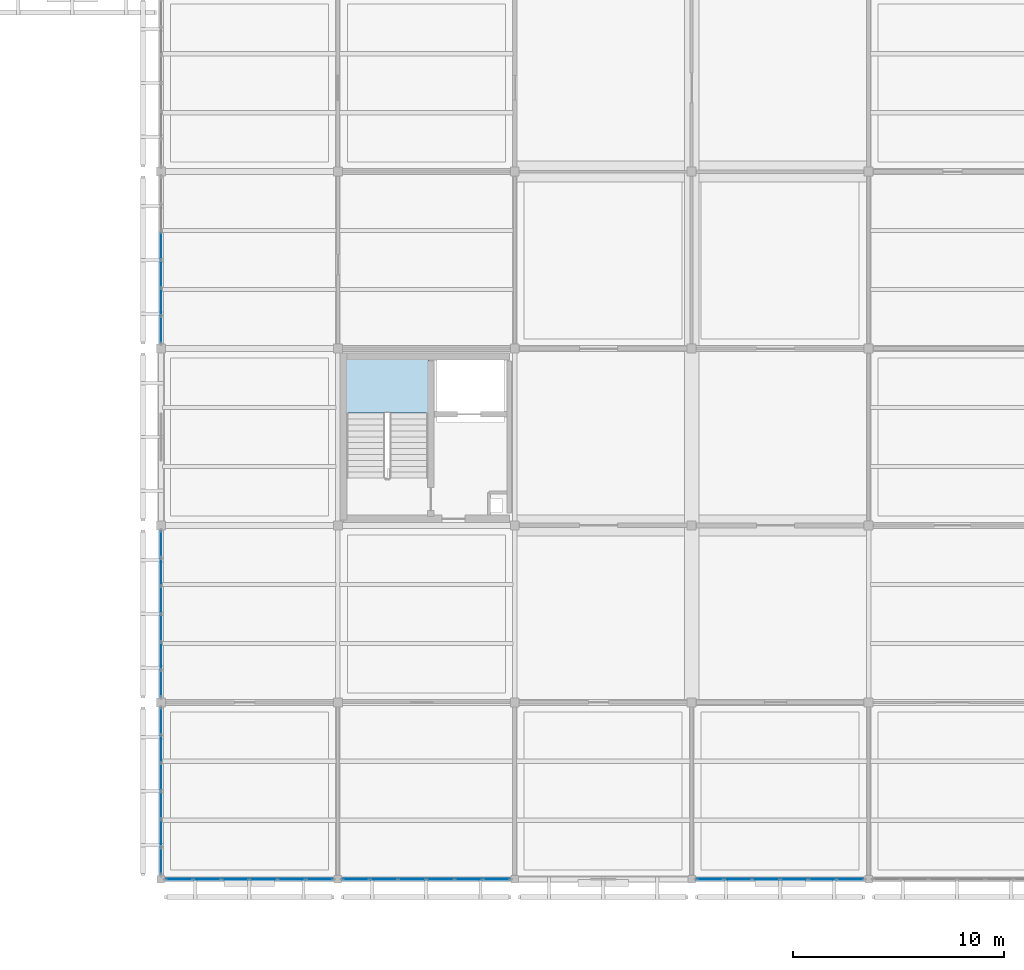
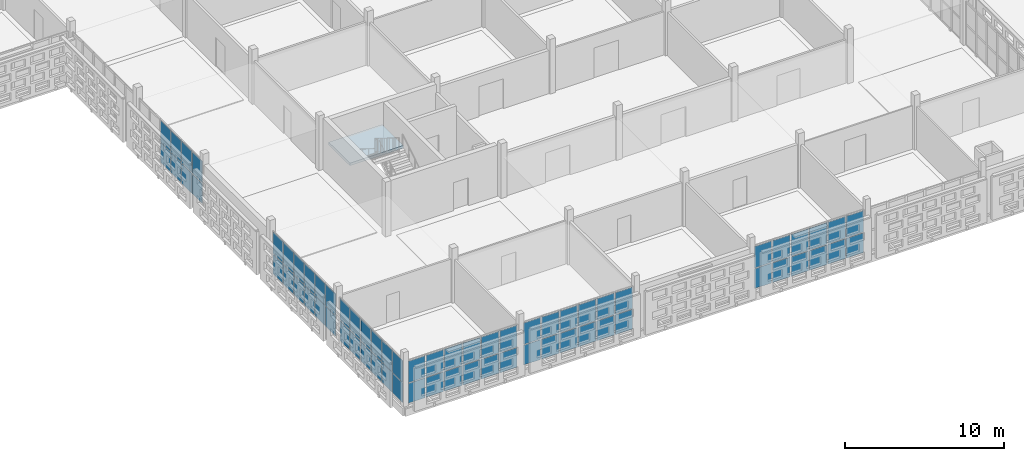
# One storey, part 76 of 166: 68 plates, 1 slab, 7 elements without a shape of their own.
"""IFC4 building model written with IfcOpenShell, lengths in metres."""

from ifc_helpers import new_model, si_unit, direction, frame, origin, origin_2d, place, context, subcontext, project, spatial, polyline, rectangle, outline, extrude, material, layer, layer_set, type_object, element, aggregate, save


model = new_model("IFC4")

# Units and contexts
model_context = context("Model", 3, precision=1e-05, world=origin(), true_north=direction((0.0, 1.0)))
body_context = subcontext(model_context, "Body", "Model", "MODEL_VIEW")
ifc_project = project(units=[si_unit("LENGTHUNIT", "METRE"), si_unit("AREAUNIT", "SQUARE_METRE"), si_unit("VOLUMEUNIT", "CUBIC_METRE"), si_unit("PLANEANGLEUNIT", "RADIAN"), si_unit("MASSUNIT", "GRAM", prefix="KILO")], contexts=[model_context])

# Site, building, storey
site_placement = place(None, origin())
site = spatial("IfcSite", under=ifc_project, at=site_placement, CompositionType="ELEMENT")
building_placement = place(site_placement, origin())
building = spatial("IfcBuilding", under=site, at=building_placement, Name="Varnapada Polytechnic", CompositionType="ELEMENT")
storey_placement = place(building_placement, frame((0.0, 0.0, 9.60009765625)))
storey = spatial("IfcBuildingStorey", under=building, at=storey_placement, Name="L02", CompositionType="ELEMENT", Elevation=9.60009765625)

# Curtain wall, plates
ifc_material_1 = material(Name="Double low-E laminated glass", Category="glass")
ifc_layer_1 = layer(ifc_material_1, 0.179931640625)
ifc_layer_set_1 = layer_set([ifc_layer_1], Name="Double low-E laminated glass")
curtain_wall_type = type_object("IfcCurtainWallType", Name="Curtain Wall CW-03", PredefinedType="NOTDEFINED", material=ifc_layer_set_1)
curtain_wall_1_placement = place(storey_placement, origin())
curtain_wall_1 = element("IfcCurtainWall", 1, at=curtain_wall_1_placement, inside=storey, type_object=curtain_wall_type, Name="L02 unitised curtain wall CW-03 (136)", PredefinedType="NOTDEFINED")
ifc_layer_2 = layer(ifc_material_1, 0.031982421875)
ifc_layer_set_2 = layer_set([ifc_layer_2], Name="Double low-E laminated glass")
plate_type = type_object("IfcPlateType", Name="Curtain Panel PNL-02", PredefinedType="CURTAIN_PANEL", material=ifc_layer_set_2)
plate_1_placement = place(storey_placement, frame((15.933837890625, 0.0, 0.06494140625), z_axis=(0.0, 0.0, 1.0), x_axis=(-1.0, 0.0, 0.0)))
plate_1 = element("IfcPlate", 2, at=plate_1_placement, type_object=plate_type, Name="CW-03 panel 1.1", PredefinedType="CURTAIN_PANEL", context=body_context, shape_type="SweptSolid", body=[
    extrude(rectangle(XDim=1.242431640625, YDim=0.031982421875, at=origin_2d()), origin(), (0.0, 0.0, 1.0), 1.515380859375),
])
plate_2_placement = place(storey_placement, frame((15.933837890625, 0.0, 1.64501953125), z_axis=(0.0, 0.0, 1.0), x_axis=(-1.0, 0.0, 0.0)))
plate_2 = element("IfcPlate", 3, at=plate_2_placement, type_object=plate_type, Name="CW-03 panel 1.2", PredefinedType="CURTAIN_PANEL", context=body_context, shape_type="SweptSolid", body=[
    extrude(rectangle(XDim=1.242431640625, YDim=0.031982421875, at=origin_2d()), origin(), (0.0, 0.0, 1.0), 1.649658203125),
])
plate_3_placement = place(storey_placement, frame((14.610107421875, 0.0, 0.06494140625), z_axis=(0.0, 0.0, 1.0), x_axis=(-1.0, 0.0, 0.0)))
plate_3 = element("IfcPlate", 4, at=plate_3_placement, type_object=plate_type, Name="CW-03 panel 2.1", PredefinedType="CURTAIN_PANEL", context=body_context, shape_type="SweptSolid", body=[
    extrude(rectangle(XDim=1.27490234375, YDim=0.031982421875, at=origin_2d()), origin(), (0.0, 0.0, 1.0), 1.515380859375),
])
plate_4_placement = place(storey_placement, frame((14.610107421875, 0.0, 1.64501953125), z_axis=(0.0, 0.0, 1.0), x_axis=(-1.0, 0.0, 0.0)))
plate_4 = element("IfcPlate", 5, at=plate_4_placement, type_object=plate_type, Name="CW-03 panel 2.2", PredefinedType="CURTAIN_PANEL", context=body_context, shape_type="SweptSolid", body=[
    extrude(rectangle(XDim=1.27490234375, YDim=0.031982421875, at=origin_2d()), origin(), (0.0, 0.0, 1.0), 1.649658203125),
])
plate_5_placement = place(storey_placement, frame((13.27001953125, 0.0, 0.06494140625), z_axis=(0.0, 0.0, 1.0), x_axis=(-1.0, 0.0, 0.0)))
plate_5 = element("IfcPlate", 6, at=plate_5_placement, type_object=plate_type, Name="CW-03 panel 3.1", PredefinedType="CURTAIN_PANEL", context=body_context, shape_type="SweptSolid", body=[
    extrude(rectangle(XDim=1.27490234375, YDim=0.031982421875, at=origin_2d()), origin(), (0.0, 0.0, 1.0), 1.515380859375),
])
plate_6_placement = place(storey_placement, frame((13.27001953125, 0.0, 1.64501953125), z_axis=(0.0, 0.0, 1.0), x_axis=(-1.0, 0.0, 0.0)))
plate_6 = element("IfcPlate", 7, at=plate_6_placement, type_object=plate_type, Name="CW-03 panel 3.2", PredefinedType="CURTAIN_PANEL", context=body_context, shape_type="SweptSolid", body=[
    extrude(rectangle(XDim=1.27490234375, YDim=0.031982421875, at=origin_2d()), origin(), (0.0, 0.0, 1.0), 1.649658203125),
])
plate_7_placement = place(storey_placement, frame((11.929931640625, 0.0, 0.06494140625), z_axis=(0.0, 0.0, 1.0), x_axis=(-1.0, 0.0, 0.0)))
plate_7 = element("IfcPlate", 8, at=plate_7_placement, type_object=plate_type, Name="CW-03 panel 4.1", PredefinedType="CURTAIN_PANEL", context=body_context, shape_type="SweptSolid", body=[
    extrude(rectangle(XDim=1.27490234375, YDim=0.031982421875, at=origin_2d()), origin(), (0.0, 0.0, 1.0), 1.515380859375),
])
plate_8_placement = place(storey_placement, frame((11.929931640625, 0.0, 1.64501953125), z_axis=(0.0, 0.0, 1.0), x_axis=(-1.0, 0.0, 0.0)))
plate_8 = element("IfcPlate", 9, at=plate_8_placement, type_object=plate_type, Name="CW-03 panel 4.2", PredefinedType="CURTAIN_PANEL", context=body_context, shape_type="SweptSolid", body=[
    extrude(rectangle(XDim=1.27490234375, YDim=0.031982421875, at=origin_2d()), origin(), (0.0, 0.0, 1.0), 1.649658203125),
])
plate_9_placement = place(storey_placement, frame((10.590087890625, 0.0, 0.06494140625), z_axis=(0.0, 0.0, 1.0), x_axis=(-1.0, 0.0, 0.0)))
plate_9 = element("IfcPlate", 10, at=plate_9_placement, type_object=plate_type, Name="CW-03 panel 5.1", PredefinedType="CURTAIN_PANEL", context=body_context, shape_type="SweptSolid", body=[
    extrude(rectangle(XDim=1.27490234375, YDim=0.031982421875, at=origin_2d()), origin(), (0.0, 0.0, 1.0), 1.515380859375),
])
plate_10_placement = place(storey_placement, frame((10.590087890625, 0.0, 1.64501953125), z_axis=(0.0, 0.0, 1.0), x_axis=(-1.0, 0.0, 0.0)))
plate_10 = element("IfcPlate", 11, at=plate_10_placement, type_object=plate_type, Name="CW-03 panel 5.2", PredefinedType="CURTAIN_PANEL", context=body_context, shape_type="SweptSolid", body=[
    extrude(rectangle(XDim=1.27490234375, YDim=0.031982421875, at=origin_2d()), origin(), (0.0, 0.0, 1.0), 1.649658203125),
])
plate_11_placement = place(storey_placement, frame((9.266357421875, 0.0, 0.06494140625), z_axis=(0.0, 0.0, 1.0), x_axis=(-1.0, 0.0, 0.0)))
plate_11 = element("IfcPlate", 12, at=plate_11_placement, type_object=plate_type, Name="CW-03 panel 6.1", PredefinedType="CURTAIN_PANEL", context=body_context, shape_type="SweptSolid", body=[
    extrude(rectangle(XDim=1.242431640625, YDim=0.031982421875, at=origin_2d()), origin(), (0.0, 0.0, 1.0), 1.515380859375),
])
plate_12_placement = place(storey_placement, frame((9.266357421875, 0.0, 1.64501953125), z_axis=(0.0, 0.0, 1.0), x_axis=(-1.0, 0.0, 0.0)))
plate_12 = element("IfcPlate", 13, at=plate_12_placement, type_object=plate_type, Name="CW-03 panel 6.2", PredefinedType="CURTAIN_PANEL", context=body_context, shape_type="SweptSolid", body=[
    extrude(rectangle(XDim=1.242431640625, YDim=0.031982421875, at=origin_2d()), origin(), (0.0, 0.0, 1.0), 1.649658203125),
])
aggregate(curtain_wall_1, [plate_1, plate_2, plate_3, plate_4, plate_5, plate_6, plate_7, plate_8, plate_9, plate_10, plate_11, plate_12])

curtain_wall_2_placement = place(storey_placement, origin())
curtain_wall_2 = element("IfcCurtainWall", 14, at=curtain_wall_2_placement, inside=storey, type_object=curtain_wall_type, Name="L02 unitised curtain wall CW-03 (137)", PredefinedType="NOTDEFINED")
plate_13_placement = place(storey_placement, frame((8.39990234375, 0.86376953125, 0.06494140625), z_axis=(0.0, 0.0, 1.0), x_axis=(0.0, 1.0, 0.0)))
plate_13 = element("IfcPlate", 15, at=plate_13_placement, type_object=plate_type, Name="CW-03 panel 1.1", PredefinedType="CURTAIN_PANEL", context=body_context, shape_type="SweptSolid", body=[
    extrude(rectangle(XDim=1.237548828125, YDim=0.031982421875, at=origin_2d()), origin(), (0.0, 0.0, 1.0), 1.515380859375),
])
plate_14_placement = place(storey_placement, frame((8.39990234375, 0.86376953125, 1.64501953125), z_axis=(0.0, 0.0, 1.0), x_axis=(0.0, 1.0, 0.0)))
plate_14 = element("IfcPlate", 16, at=plate_14_placement, type_object=plate_type, Name="CW-03 panel 1.2", PredefinedType="CURTAIN_PANEL", context=body_context, shape_type="SweptSolid", body=[
    extrude(rectangle(XDim=1.237548828125, YDim=0.031982421875, at=origin_2d()), origin(), (0.0, 0.0, 1.0), 1.649658203125),
])
plate_15_placement = place(storey_placement, frame((8.39990234375, 2.1826171875, 0.06494140625), z_axis=(0.0, 0.0, 1.0), x_axis=(0.0, 1.0, 0.0)))
plate_15 = element("IfcPlate", 17, at=plate_15_placement, type_object=plate_type, Name="CW-03 panel 2.1", PredefinedType="CURTAIN_PANEL", context=body_context, shape_type="SweptSolid", body=[
    extrude(rectangle(XDim=1.27001953125, YDim=0.031982421875, at=origin_2d()), origin(), (0.0, 0.0, 1.0), 1.515380859375),
])
plate_16_placement = place(storey_placement, frame((8.39990234375, 2.1826171875, 1.64501953125), z_axis=(0.0, 0.0, 1.0), x_axis=(0.0, 1.0, 0.0)))
plate_16 = element("IfcPlate", 18, at=plate_16_placement, type_object=plate_type, Name="CW-03 panel 2.2", PredefinedType="CURTAIN_PANEL", context=body_context, shape_type="SweptSolid", body=[
    extrude(rectangle(XDim=1.27001953125, YDim=0.031982421875, at=origin_2d()), origin(), (0.0, 0.0, 1.0), 1.649658203125),
])
plate_17_placement = place(storey_placement, frame((8.39990234375, 3.517578125, 0.06494140625), z_axis=(0.0, 0.0, 1.0), x_axis=(0.0, 1.0, 0.0)))
plate_17 = element("IfcPlate", 19, at=plate_17_placement, type_object=plate_type, Name="CW-03 panel 3.1", PredefinedType="CURTAIN_PANEL", context=body_context, shape_type="SweptSolid", body=[
    extrude(rectangle(XDim=1.27001953125, YDim=0.031982421875, at=origin_2d()), origin(), (0.0, 0.0, 1.0), 1.515380859375),
])
plate_18_placement = place(storey_placement, frame((8.39990234375, 3.517578125, 1.64501953125), z_axis=(0.0, 0.0, 1.0), x_axis=(0.0, 1.0, 0.0)))
plate_18 = element("IfcPlate", 20, at=plate_18_placement, type_object=plate_type, Name="CW-03 panel 3.2", PredefinedType="CURTAIN_PANEL", context=body_context, shape_type="SweptSolid", body=[
    extrude(rectangle(XDim=1.27001953125, YDim=0.031982421875, at=origin_2d()), origin(), (0.0, 0.0, 1.0), 1.649658203125),
])
plate_19_placement = place(storey_placement, frame((8.39990234375, 4.8525390625, 0.06494140625), z_axis=(0.0, 0.0, 1.0), x_axis=(0.0, 1.0, 0.0)))
plate_19 = element("IfcPlate", 21, at=plate_19_placement, type_object=plate_type, Name="CW-03 panel 4.1", PredefinedType="CURTAIN_PANEL", context=body_context, shape_type="SweptSolid", body=[
    extrude(rectangle(XDim=1.27001953125, YDim=0.031982421875, at=origin_2d()), origin(), (0.0, 0.0, 1.0), 1.515380859375),
])
plate_20_placement = place(storey_placement, frame((8.39990234375, 4.8525390625, 1.64501953125), z_axis=(0.0, 0.0, 1.0), x_axis=(0.0, 1.0, 0.0)))
plate_20 = element("IfcPlate", 22, at=plate_20_placement, type_object=plate_type, Name="CW-03 panel 4.2", PredefinedType="CURTAIN_PANEL", context=body_context, shape_type="SweptSolid", body=[
    extrude(rectangle(XDim=1.27001953125, YDim=0.031982421875, at=origin_2d()), origin(), (0.0, 0.0, 1.0), 1.649658203125),
])
plate_21_placement = place(storey_placement, frame((8.39990234375, 6.1875, 0.06494140625), z_axis=(0.0, 0.0, 1.0), x_axis=(0.0, 1.0, 0.0)))
plate_21 = element("IfcPlate", 23, at=plate_21_placement, type_object=plate_type, Name="CW-03 panel 5.1", PredefinedType="CURTAIN_PANEL", context=body_context, shape_type="SweptSolid", body=[
    extrude(rectangle(XDim=1.27001953125, YDim=0.031982421875, at=origin_2d()), origin(), (0.0, 0.0, 1.0), 1.515380859375),
])
plate_22_placement = place(storey_placement, frame((8.39990234375, 6.1875, 1.64501953125), z_axis=(0.0, 0.0, 1.0), x_axis=(0.0, 1.0, 0.0)))
plate_22 = element("IfcPlate", 24, at=plate_22_placement, type_object=plate_type, Name="CW-03 panel 5.2", PredefinedType="CURTAIN_PANEL", context=body_context, shape_type="SweptSolid", body=[
    extrude(rectangle(XDim=1.27001953125, YDim=0.031982421875, at=origin_2d()), origin(), (0.0, 0.0, 1.0), 1.649658203125),
])
plate_23_placement = place(storey_placement, frame((8.39990234375, 7.50634765625, 0.06494140625), z_axis=(0.0, 0.0, 1.0), x_axis=(0.0, 1.0, 0.0)))
plate_23 = element("IfcPlate", 25, at=plate_23_placement, type_object=plate_type, Name="CW-03 panel 6.1", PredefinedType="CURTAIN_PANEL", context=body_context, shape_type="SweptSolid", body=[
    extrude(rectangle(XDim=1.237548828125, YDim=0.031982421875, at=origin_2d()), origin(), (0.0, 0.0, 1.0), 1.515380859375),
])
plate_24_placement = place(storey_placement, frame((8.39990234375, 7.50634765625, 1.64501953125), z_axis=(0.0, 0.0, 1.0), x_axis=(0.0, 1.0, 0.0)))
plate_24 = element("IfcPlate", 26, at=plate_24_placement, type_object=plate_type, Name="CW-03 panel 6.2", PredefinedType="CURTAIN_PANEL", context=body_context, shape_type="SweptSolid", body=[
    extrude(rectangle(XDim=1.237548828125, YDim=0.031982421875, at=origin_2d()), origin(), (0.0, 0.0, 1.0), 1.649658203125),
])
aggregate(curtain_wall_2, [plate_13, plate_14, plate_15, plate_16, plate_17, plate_18, plate_19, plate_20, plate_21, plate_22, plate_23, plate_24])

curtain_wall_3_placement = place(storey_placement, origin())
curtain_wall_3 = element("IfcCurtainWall", 27, at=curtain_wall_3_placement, inside=storey, type_object=curtain_wall_type, Name="L02 unitised curtain wall CW-03 (138)", PredefinedType="NOTDEFINED")
plate_25_placement = place(storey_placement, frame((8.39990234375, 9.291259765625, 0.06494140625), z_axis=(0.0, 0.0, 1.0), x_axis=(0.0, 1.0, 0.0)))
plate_25 = element("IfcPlate", 28, at=plate_25_placement, type_object=plate_type, Name="CW-03 panel 1.1", PredefinedType="CURTAIN_PANEL", context=body_context, shape_type="SweptSolid", body=[
    extrude(rectangle(XDim=1.232421875, YDim=0.031982421875, at=origin_2d()), origin(), (0.0, 0.0, 1.0), 1.515380859375),
])
plate_26_placement = place(storey_placement, frame((8.39990234375, 9.291259765625, 1.64501953125), z_axis=(0.0, 0.0, 1.0), x_axis=(0.0, 1.0, 0.0)))
plate_26 = element("IfcPlate", 29, at=plate_26_placement, type_object=plate_type, Name="CW-03 panel 1.2", PredefinedType="CURTAIN_PANEL", context=body_context, shape_type="SweptSolid", body=[
    extrude(rectangle(XDim=1.232421875, YDim=0.031982421875, at=origin_2d()), origin(), (0.0, 0.0, 1.0), 1.649658203125),
])
plate_27_placement = place(storey_placement, frame((8.39990234375, 10.60498046875, 0.06494140625), z_axis=(0.0, 0.0, 1.0), x_axis=(0.0, 1.0, 0.0)))
plate_27 = element("IfcPlate", 30, at=plate_27_placement, type_object=plate_type, Name="CW-03 panel 2.1", PredefinedType="CURTAIN_PANEL", context=body_context, shape_type="SweptSolid", body=[
    extrude(rectangle(XDim=1.264892578125, YDim=0.031982421875, at=origin_2d()), origin(), (0.0, 0.0, 1.0), 1.515380859375),
])
plate_28_placement = place(storey_placement, frame((8.39990234375, 10.60498046875, 1.64501953125), z_axis=(0.0, 0.0, 1.0), x_axis=(0.0, 1.0, 0.0)))
plate_28 = element("IfcPlate", 31, at=plate_28_placement, type_object=plate_type, Name="CW-03 panel 2.2", PredefinedType="CURTAIN_PANEL", context=body_context, shape_type="SweptSolid", body=[
    extrude(rectangle(XDim=1.264892578125, YDim=0.031982421875, at=origin_2d()), origin(), (0.0, 0.0, 1.0), 1.649658203125),
])
plate_29_placement = place(storey_placement, frame((8.39990234375, 11.93505859375, 0.06494140625), z_axis=(0.0, 0.0, 1.0), x_axis=(0.0, 1.0, 0.0)))
plate_29 = element("IfcPlate", 32, at=plate_29_placement, type_object=plate_type, Name="CW-03 panel 3.1", PredefinedType="CURTAIN_PANEL", context=body_context, shape_type="SweptSolid", body=[
    extrude(rectangle(XDim=1.264892578125, YDim=0.031982421875, at=origin_2d()), origin(), (0.0, 0.0, 1.0), 1.515380859375),
])
plate_30_placement = place(storey_placement, frame((8.39990234375, 11.93505859375, 1.64501953125), z_axis=(0.0, 0.0, 1.0), x_axis=(0.0, 1.0, 0.0)))
plate_30 = element("IfcPlate", 33, at=plate_30_placement, type_object=plate_type, Name="CW-03 panel 3.2", PredefinedType="CURTAIN_PANEL", context=body_context, shape_type="SweptSolid", body=[
    extrude(rectangle(XDim=1.264892578125, YDim=0.031982421875, at=origin_2d()), origin(), (0.0, 0.0, 1.0), 1.649658203125),
])
plate_31_placement = place(storey_placement, frame((8.39990234375, 13.264892578125, 0.06494140625), z_axis=(0.0, 0.0, 1.0), x_axis=(0.0, 1.0, 0.0)))
plate_31 = element("IfcPlate", 34, at=plate_31_placement, type_object=plate_type, Name="CW-03 panel 4.1", PredefinedType="CURTAIN_PANEL", context=body_context, shape_type="SweptSolid", body=[
    extrude(rectangle(XDim=1.264892578125, YDim=0.031982421875, at=origin_2d()), origin(), (0.0, 0.0, 1.0), 1.515380859375),
])
plate_32_placement = place(storey_placement, frame((8.39990234375, 13.264892578125, 1.64501953125), z_axis=(0.0, 0.0, 1.0), x_axis=(0.0, 1.0, 0.0)))
plate_32 = element("IfcPlate", 35, at=plate_32_placement, type_object=plate_type, Name="CW-03 panel 4.2", PredefinedType="CURTAIN_PANEL", context=body_context, shape_type="SweptSolid", body=[
    extrude(rectangle(XDim=1.264892578125, YDim=0.031982421875, at=origin_2d()), origin(), (0.0, 0.0, 1.0), 1.649658203125),
])
plate_33_placement = place(storey_placement, frame((8.39990234375, 14.594970703125, 0.06494140625), z_axis=(0.0, 0.0, 1.0), x_axis=(0.0, 1.0, 0.0)))
plate_33 = element("IfcPlate", 36, at=plate_33_placement, type_object=plate_type, Name="CW-03 panel 5.1", PredefinedType="CURTAIN_PANEL", context=body_context, shape_type="SweptSolid", body=[
    extrude(rectangle(XDim=1.264892578125, YDim=0.031982421875, at=origin_2d()), origin(), (0.0, 0.0, 1.0), 1.515380859375),
])
plate_34_placement = place(storey_placement, frame((8.39990234375, 14.594970703125, 1.64501953125), z_axis=(0.0, 0.0, 1.0), x_axis=(0.0, 1.0, 0.0)))
plate_34 = element("IfcPlate", 37, at=plate_34_placement, type_object=plate_type, Name="CW-03 panel 5.2", PredefinedType="CURTAIN_PANEL", context=body_context, shape_type="SweptSolid", body=[
    extrude(rectangle(XDim=1.264892578125, YDim=0.031982421875, at=origin_2d()), origin(), (0.0, 0.0, 1.0), 1.649658203125),
])
plate_35_placement = place(storey_placement, frame((8.39990234375, 15.90869140625, 0.06494140625), z_axis=(0.0, 0.0, 1.0), x_axis=(0.0, 1.0, 0.0)))
plate_35 = element("IfcPlate", 38, at=plate_35_placement, type_object=plate_type, Name="CW-03 panel 6.1", PredefinedType="CURTAIN_PANEL", context=body_context, shape_type="SweptSolid", body=[
    extrude(rectangle(XDim=1.232421875, YDim=0.031982421875, at=origin_2d()), origin(), (0.0, 0.0, 1.0), 1.515380859375),
])
plate_36_placement = place(storey_placement, frame((8.39990234375, 15.90869140625, 1.64501953125), z_axis=(0.0, 0.0, 1.0), x_axis=(0.0, 1.0, 0.0)))
plate_36 = element("IfcPlate", 39, at=plate_36_placement, type_object=plate_type, Name="CW-03 panel 6.2", PredefinedType="CURTAIN_PANEL", context=body_context, shape_type="SweptSolid", body=[
    extrude(rectangle(XDim=1.232421875, YDim=0.031982421875, at=origin_2d()), origin(), (0.0, 0.0, 1.0), 1.649658203125),
])
aggregate(curtain_wall_3, [plate_25, plate_26, plate_27, plate_28, plate_29, plate_30, plate_31, plate_32, plate_33, plate_34, plate_35, plate_36])

curtain_wall_4_placement = place(storey_placement, origin())
curtain_wall_4 = element("IfcCurtainWall", 40, at=curtain_wall_4_placement, inside=storey, type_object=curtain_wall_type, Name="L02 unitised curtain wall CW-03 (139)", PredefinedType="NOTDEFINED")
plate_37_placement = place(storey_placement, frame((8.39990234375, 26.09130859375, 0.06494140625), z_axis=(0.0, 0.0, 1.0), x_axis=(0.0, 1.0, 0.0)))
plate_37 = element("IfcPlate", 41, at=plate_37_placement, type_object=plate_type, Name="CW-03 panel 1.1", PredefinedType="CURTAIN_PANEL", context=body_context, shape_type="SweptSolid", body=[
    extrude(rectangle(XDim=1.232421875, YDim=0.031982421875, at=origin_2d()), origin(), (0.0, 0.0, 1.0), 1.515380859375),
])
plate_38_placement = place(storey_placement, frame((8.39990234375, 26.09130859375, 1.64501953125), z_axis=(0.0, 0.0, 1.0), x_axis=(0.0, 1.0, 0.0)))
plate_38 = element("IfcPlate", 42, at=plate_38_placement, type_object=plate_type, Name="CW-03 panel 1.2", PredefinedType="CURTAIN_PANEL", context=body_context, shape_type="SweptSolid", body=[
    extrude(rectangle(XDim=1.232421875, YDim=0.031982421875, at=origin_2d()), origin(), (0.0, 0.0, 1.0), 1.649658203125),
])
plate_39_placement = place(storey_placement, frame((8.39990234375, 27.405029296875, 0.06494140625), z_axis=(0.0, 0.0, 1.0), x_axis=(0.0, 1.0, 0.0)))
plate_39 = element("IfcPlate", 43, at=plate_39_placement, type_object=plate_type, Name="CW-03 panel 2.1", PredefinedType="CURTAIN_PANEL", context=body_context, shape_type="SweptSolid", body=[
    extrude(rectangle(XDim=1.264892578125, YDim=0.031982421875, at=origin_2d()), origin(), (0.0, 0.0, 1.0), 1.515380859375),
])
plate_40_placement = place(storey_placement, frame((8.39990234375, 27.405029296875, 1.64501953125), z_axis=(0.0, 0.0, 1.0), x_axis=(0.0, 1.0, 0.0)))
plate_40 = element("IfcPlate", 44, at=plate_40_placement, type_object=plate_type, Name="CW-03 panel 2.2", PredefinedType="CURTAIN_PANEL", context=body_context, shape_type="SweptSolid", body=[
    extrude(rectangle(XDim=1.264892578125, YDim=0.031982421875, at=origin_2d()), origin(), (0.0, 0.0, 1.0), 1.649658203125),
])
plate_41_placement = place(storey_placement, frame((8.39990234375, 28.735107421875, 0.06494140625), z_axis=(0.0, 0.0, 1.0), x_axis=(0.0, 1.0, 0.0)))
plate_41 = element("IfcPlate", 45, at=plate_41_placement, type_object=plate_type, Name="CW-03 panel 3.1", PredefinedType="CURTAIN_PANEL", context=body_context, shape_type="SweptSolid", body=[
    extrude(rectangle(XDim=1.264892578125, YDim=0.031982421875, at=origin_2d()), origin(), (0.0, 0.0, 1.0), 1.515380859375),
])
plate_42_placement = place(storey_placement, frame((8.39990234375, 28.735107421875, 1.64501953125), z_axis=(0.0, 0.0, 1.0), x_axis=(0.0, 1.0, 0.0)))
plate_42 = element("IfcPlate", 46, at=plate_42_placement, type_object=plate_type, Name="CW-03 panel 3.2", PredefinedType="CURTAIN_PANEL", context=body_context, shape_type="SweptSolid", body=[
    extrude(rectangle(XDim=1.264892578125, YDim=0.031982421875, at=origin_2d()), origin(), (0.0, 0.0, 1.0), 1.649658203125),
])
plate_43_placement = place(storey_placement, frame((8.39990234375, 30.06494140625, 0.06494140625), z_axis=(0.0, 0.0, 1.0), x_axis=(0.0, 1.0, 0.0)))
plate_43 = element("IfcPlate", 47, at=plate_43_placement, type_object=plate_type, Name="CW-03 panel 4.1", PredefinedType="CURTAIN_PANEL", context=body_context, shape_type="SweptSolid", body=[
    extrude(rectangle(XDim=1.264892578125, YDim=0.031982421875, at=origin_2d()), origin(), (0.0, 0.0, 1.0), 1.515380859375),
])
plate_44_placement = place(storey_placement, frame((8.39990234375, 30.06494140625, 1.64501953125), z_axis=(0.0, 0.0, 1.0), x_axis=(0.0, 1.0, 0.0)))
plate_44 = element("IfcPlate", 48, at=plate_44_placement, type_object=plate_type, Name="CW-03 panel 4.2", PredefinedType="CURTAIN_PANEL", context=body_context, shape_type="SweptSolid", body=[
    extrude(rectangle(XDim=1.264892578125, YDim=0.031982421875, at=origin_2d()), origin(), (0.0, 0.0, 1.0), 1.649658203125),
])
aggregate(curtain_wall_4, [plate_37, plate_38, plate_39, plate_40, plate_41, plate_42, plate_43, plate_44])

curtain_wall_5_placement = place(storey_placement, origin())
curtain_wall_5 = element("IfcCurtainWall", 49, at=curtain_wall_5_placement, inside=storey, type_object=curtain_wall_type, Name="L02 unitised curtain wall CW-03 (141)", PredefinedType="NOTDEFINED")
plate_45_placement = place(storey_placement, frame((24.333740234375, 0.0, 0.06494140625), z_axis=(0.0, 0.0, 1.0), x_axis=(-1.0, 0.0, 0.0)))
plate_45 = element("IfcPlate", 50, at=plate_45_placement, type_object=plate_type, Name="CW-03 panel 1.1", PredefinedType="CURTAIN_PANEL", context=body_context, shape_type="SweptSolid", body=[
    extrude(rectangle(XDim=1.242431640625, YDim=0.031982421875, at=origin_2d()), origin(), (0.0, 0.0, 1.0), 1.515380859375),
])
plate_46_placement = place(storey_placement, frame((24.333740234375, 0.0, 1.64501953125), z_axis=(0.0, 0.0, 1.0), x_axis=(-1.0, 0.0, 0.0)))
plate_46 = element("IfcPlate", 51, at=plate_46_placement, type_object=plate_type, Name="CW-03 panel 1.2", PredefinedType="CURTAIN_PANEL", context=body_context, shape_type="SweptSolid", body=[
    extrude(rectangle(XDim=1.242431640625, YDim=0.031982421875, at=origin_2d()), origin(), (0.0, 0.0, 1.0), 1.649658203125),
])
plate_47_placement = place(storey_placement, frame((23.010009765625, 0.0, 0.06494140625), z_axis=(0.0, 0.0, 1.0), x_axis=(-1.0, 0.0, 0.0)))
plate_47 = element("IfcPlate", 52, at=plate_47_placement, type_object=plate_type, Name="CW-03 panel 2.1", PredefinedType="CURTAIN_PANEL", context=body_context, shape_type="SweptSolid", body=[
    extrude(rectangle(XDim=1.27490234375, YDim=0.031982421875, at=origin_2d()), origin(), (0.0, 0.0, 1.0), 1.515380859375),
])
plate_48_placement = place(storey_placement, frame((23.010009765625, 0.0, 1.64501953125), z_axis=(0.0, 0.0, 1.0), x_axis=(-1.0, 0.0, 0.0)))
plate_48 = element("IfcPlate", 53, at=plate_48_placement, type_object=plate_type, Name="CW-03 panel 2.2", PredefinedType="CURTAIN_PANEL", context=body_context, shape_type="SweptSolid", body=[
    extrude(rectangle(XDim=1.27490234375, YDim=0.031982421875, at=origin_2d()), origin(), (0.0, 0.0, 1.0), 1.649658203125),
])
plate_49_placement = place(storey_placement, frame((21.669921875, 0.0, 0.06494140625), z_axis=(0.0, 0.0, 1.0), x_axis=(-1.0, 0.0, 0.0)))
plate_49 = element("IfcPlate", 54, at=plate_49_placement, type_object=plate_type, Name="CW-03 panel 3.1", PredefinedType="CURTAIN_PANEL", context=body_context, shape_type="SweptSolid", body=[
    extrude(rectangle(XDim=1.27490234375, YDim=0.031982421875, at=origin_2d()), origin(), (0.0, 0.0, 1.0), 1.515380859375),
])
plate_50_placement = place(storey_placement, frame((21.669921875, 0.0, 1.64501953125), z_axis=(0.0, 0.0, 1.0), x_axis=(-1.0, 0.0, 0.0)))
plate_50 = element("IfcPlate", 55, at=plate_50_placement, type_object=plate_type, Name="CW-03 panel 3.2", PredefinedType="CURTAIN_PANEL", context=body_context, shape_type="SweptSolid", body=[
    extrude(rectangle(XDim=1.27490234375, YDim=0.031982421875, at=origin_2d()), origin(), (0.0, 0.0, 1.0), 1.649658203125),
])
plate_51_placement = place(storey_placement, frame((20.330078125, 0.0, 0.06494140625), z_axis=(0.0, 0.0, 1.0), x_axis=(-1.0, 0.0, 0.0)))
plate_51 = element("IfcPlate", 56, at=plate_51_placement, type_object=plate_type, Name="CW-03 panel 4.1", PredefinedType="CURTAIN_PANEL", context=body_context, shape_type="SweptSolid", body=[
    extrude(rectangle(XDim=1.27490234375, YDim=0.031982421875, at=origin_2d()), origin(), (0.0, 0.0, 1.0), 1.515380859375),
])
plate_52_placement = place(storey_placement, frame((20.330078125, 0.0, 1.64501953125), z_axis=(0.0, 0.0, 1.0), x_axis=(-1.0, 0.0, 0.0)))
plate_52 = element("IfcPlate", 57, at=plate_52_placement, type_object=plate_type, Name="CW-03 panel 4.2", PredefinedType="CURTAIN_PANEL", context=body_context, shape_type="SweptSolid", body=[
    extrude(rectangle(XDim=1.27490234375, YDim=0.031982421875, at=origin_2d()), origin(), (0.0, 0.0, 1.0), 1.649658203125),
])
plate_53_placement = place(storey_placement, frame((18.989990234375, 0.0, 0.06494140625), z_axis=(0.0, 0.0, 1.0), x_axis=(-1.0, 0.0, 0.0)))
plate_53 = element("IfcPlate", 58, at=plate_53_placement, type_object=plate_type, Name="CW-03 panel 5.1", PredefinedType="CURTAIN_PANEL", context=body_context, shape_type="SweptSolid", body=[
    extrude(rectangle(XDim=1.27490234375, YDim=0.031982421875, at=origin_2d()), origin(), (0.0, 0.0, 1.0), 1.515380859375),
])
plate_54_placement = place(storey_placement, frame((18.989990234375, 0.0, 1.64501953125), z_axis=(0.0, 0.0, 1.0), x_axis=(-1.0, 0.0, 0.0)))
plate_54 = element("IfcPlate", 59, at=plate_54_placement, type_object=plate_type, Name="CW-03 panel 5.2", PredefinedType="CURTAIN_PANEL", context=body_context, shape_type="SweptSolid", body=[
    extrude(rectangle(XDim=1.27490234375, YDim=0.031982421875, at=origin_2d()), origin(), (0.0, 0.0, 1.0), 1.649658203125),
])
plate_55_placement = place(storey_placement, frame((17.666259765625, 0.0, 0.06494140625), z_axis=(0.0, 0.0, 1.0), x_axis=(-1.0, 0.0, 0.0)))
plate_55 = element("IfcPlate", 60, at=plate_55_placement, type_object=plate_type, Name="CW-03 panel 6.1", PredefinedType="CURTAIN_PANEL", context=body_context, shape_type="SweptSolid", body=[
    extrude(rectangle(XDim=1.242431640625, YDim=0.031982421875, at=origin_2d()), origin(), (0.0, 0.0, 1.0), 1.515380859375),
])
plate_56_placement = place(storey_placement, frame((17.666259765625, 0.0, 1.64501953125), z_axis=(0.0, 0.0, 1.0), x_axis=(-1.0, 0.0, 0.0)))
plate_56 = element("IfcPlate", 61, at=plate_56_placement, type_object=plate_type, Name="CW-03 panel 6.2", PredefinedType="CURTAIN_PANEL", context=body_context, shape_type="SweptSolid", body=[
    extrude(rectangle(XDim=1.242431640625, YDim=0.031982421875, at=origin_2d()), origin(), (0.0, 0.0, 1.0), 1.649658203125),
])
aggregate(curtain_wall_5, [plate_45, plate_46, plate_47, plate_48, plate_49, plate_50, plate_51, plate_52, plate_53, plate_54, plate_55, plate_56])

curtain_wall_6_placement = place(storey_placement, origin())
curtain_wall_6 = element("IfcCurtainWall", 62, at=curtain_wall_6_placement, inside=storey, type_object=curtain_wall_type, Name="L02 unitised curtain wall CW-03 (151)", PredefinedType="NOTDEFINED")
plate_57_placement = place(storey_placement, frame((41.1337890625, 0.0, 0.06494140625), z_axis=(0.0, 0.0, 1.0), x_axis=(-1.0, 0.0, 0.0)))
plate_57 = element("IfcPlate", 63, at=plate_57_placement, type_object=plate_type, Name="CW-03 panel 1.1", PredefinedType="CURTAIN_PANEL", context=body_context, shape_type="SweptSolid", body=[
    extrude(rectangle(XDim=1.242431640625, YDim=0.031982421875, at=origin_2d()), origin(), (0.0, 0.0, 1.0), 1.515380859375),
])
plate_58_placement = place(storey_placement, frame((41.1337890625, 0.0, 1.64501953125), z_axis=(0.0, 0.0, 1.0), x_axis=(-1.0, 0.0, 0.0)))
plate_58 = element("IfcPlate", 64, at=plate_58_placement, type_object=plate_type, Name="CW-03 panel 1.2", PredefinedType="CURTAIN_PANEL", context=body_context, shape_type="SweptSolid", body=[
    extrude(rectangle(XDim=1.242431640625, YDim=0.031982421875, at=origin_2d()), origin(), (0.0, 0.0, 1.0), 1.649658203125),
])
plate_59_placement = place(storey_placement, frame((39.81005859375, 0.0, 0.06494140625), z_axis=(0.0, 0.0, 1.0), x_axis=(-1.0, 0.0, 0.0)))
plate_59 = element("IfcPlate", 65, at=plate_59_placement, type_object=plate_type, Name="CW-03 panel 2.1", PredefinedType="CURTAIN_PANEL", context=body_context, shape_type="SweptSolid", body=[
    extrude(rectangle(XDim=1.27490234375, YDim=0.031982421875, at=origin_2d()), origin(), (0.0, 0.0, 1.0), 1.515380859375),
])
plate_60_placement = place(storey_placement, frame((39.81005859375, 0.0, 1.64501953125), z_axis=(0.0, 0.0, 1.0), x_axis=(-1.0, 0.0, 0.0)))
plate_60 = element("IfcPlate", 66, at=plate_60_placement, type_object=plate_type, Name="CW-03 panel 2.2", PredefinedType="CURTAIN_PANEL", context=body_context, shape_type="SweptSolid", body=[
    extrude(rectangle(XDim=1.27490234375, YDim=0.031982421875, at=origin_2d()), origin(), (0.0, 0.0, 1.0), 1.649658203125),
])
plate_61_placement = place(storey_placement, frame((38.469970703125, 0.0, 0.06494140625), z_axis=(0.0, 0.0, 1.0), x_axis=(-1.0, 0.0, 0.0)))
plate_61 = element("IfcPlate", 67, at=plate_61_placement, type_object=plate_type, Name="CW-03 panel 3.1", PredefinedType="CURTAIN_PANEL", context=body_context, shape_type="SweptSolid", body=[
    extrude(rectangle(XDim=1.27490234375, YDim=0.031982421875, at=origin_2d()), origin(), (0.0, 0.0, 1.0), 1.515380859375),
])
plate_62_placement = place(storey_placement, frame((38.469970703125, 0.0, 1.64501953125), z_axis=(0.0, 0.0, 1.0), x_axis=(-1.0, 0.0, 0.0)))
plate_62 = element("IfcPlate", 68, at=plate_62_placement, type_object=plate_type, Name="CW-03 panel 3.2", PredefinedType="CURTAIN_PANEL", context=body_context, shape_type="SweptSolid", body=[
    extrude(rectangle(XDim=1.27490234375, YDim=0.031982421875, at=origin_2d()), origin(), (0.0, 0.0, 1.0), 1.649658203125),
])
plate_63_placement = place(storey_placement, frame((37.1298828125, 0.0, 0.06494140625), z_axis=(0.0, 0.0, 1.0), x_axis=(-1.0, 0.0, 0.0)))
plate_63 = element("IfcPlate", 69, at=plate_63_placement, type_object=plate_type, Name="CW-03 panel 4.1", PredefinedType="CURTAIN_PANEL", context=body_context, shape_type="SweptSolid", body=[
    extrude(rectangle(XDim=1.27490234375, YDim=0.031982421875, at=origin_2d()), origin(), (0.0, 0.0, 1.0), 1.515380859375),
])
plate_64_placement = place(storey_placement, frame((37.1298828125, 0.0, 1.64501953125), z_axis=(0.0, 0.0, 1.0), x_axis=(-1.0, 0.0, 0.0)))
plate_64 = element("IfcPlate", 70, at=plate_64_placement, type_object=plate_type, Name="CW-03 panel 4.2", PredefinedType="CURTAIN_PANEL", context=body_context, shape_type="SweptSolid", body=[
    extrude(rectangle(XDim=1.27490234375, YDim=0.031982421875, at=origin_2d()), origin(), (0.0, 0.0, 1.0), 1.649658203125),
])
plate_65_placement = place(storey_placement, frame((35.7900390625, 0.0, 0.06494140625), z_axis=(0.0, 0.0, 1.0), x_axis=(-1.0, 0.0, 0.0)))
plate_65 = element("IfcPlate", 71, at=plate_65_placement, type_object=plate_type, Name="CW-03 panel 5.1", PredefinedType="CURTAIN_PANEL", context=body_context, shape_type="SweptSolid", body=[
    extrude(rectangle(XDim=1.27490234375, YDim=0.031982421875, at=origin_2d()), origin(), (0.0, 0.0, 1.0), 1.515380859375),
])
plate_66_placement = place(storey_placement, frame((35.7900390625, 0.0, 1.64501953125), z_axis=(0.0, 0.0, 1.0), x_axis=(-1.0, 0.0, 0.0)))
plate_66 = element("IfcPlate", 72, at=plate_66_placement, type_object=plate_type, Name="CW-03 panel 5.2", PredefinedType="CURTAIN_PANEL", context=body_context, shape_type="SweptSolid", body=[
    extrude(rectangle(XDim=1.27490234375, YDim=0.031982421875, at=origin_2d()), origin(), (0.0, 0.0, 1.0), 1.649658203125),
])
plate_67_placement = place(storey_placement, frame((34.46630859375, 0.0, 0.06494140625), z_axis=(0.0, 0.0, 1.0), x_axis=(-1.0, 0.0, 0.0)))
plate_67 = element("IfcPlate", 73, at=plate_67_placement, type_object=plate_type, Name="CW-03 panel 6.1", PredefinedType="CURTAIN_PANEL", context=body_context, shape_type="SweptSolid", body=[
    extrude(rectangle(XDim=1.242431640625, YDim=0.031982421875, at=origin_2d()), origin(), (0.0, 0.0, 1.0), 1.515380859375),
])
plate_68_placement = place(storey_placement, frame((34.46630859375, 0.0, 1.64501953125), z_axis=(0.0, 0.0, 1.0), x_axis=(-1.0, 0.0, 0.0)))
plate_68 = element("IfcPlate", 74, at=plate_68_placement, type_object=plate_type, Name="CW-03 panel 6.2", PredefinedType="CURTAIN_PANEL", context=body_context, shape_type="SweptSolid", body=[
    extrude(rectangle(XDim=1.242431640625, YDim=0.031982421875, at=origin_2d()), origin(), (0.0, 0.0, 1.0), 1.649658203125),
])
aggregate(curtain_wall_6, [plate_57, plate_58, plate_59, plate_60, plate_61, plate_62, plate_63, plate_64, plate_65, plate_66, plate_67, plate_68])

# Stair, slab
ifc_material_2 = material(Name="Concrete C40/50", Category="concrete")
stair_type = type_object("IfcStairType", Name="Core Exit Stair ST-A", PredefinedType="HALF_TURN_STAIR", material=ifc_material_2)
stair_placement = place(storey_placement, origin())
stair = element("IfcStair", 75, at=stair_placement, inside=storey, type_object=stair_type, Name="L02 Core C3 Exit Stair", PredefinedType="HALF_TURN_STAIR")
ifc_layer_3 = layer(ifc_material_2, 0.199951171875)
ifc_layer_set_3 = layer_set([ifc_layer_3], Name="Concrete C40/50")
slab_type = type_object("IfcSlabType", Name="Stair Half Landing SLD-01", PredefinedType="LANDING", material=ifc_layer_set_3)
slab_placement = place(storey_placement, frame((0.0, 0.0, 1.89990234375)))
slab = element("IfcSlab", 76, at=slab_placement, type_object=slab_type, Name="ST-3 landing 1", PredefinedType="LANDING", context=body_context, shape_type="SweptSolid", body=[
    extrude(outline(polyline([(21.10009765625, 22.1298828125), (21.10009765625, 24.800048828125), (17.199951171875, 24.800048828125), (17.199951171875, 22.1298828125), (21.10009765625, 22.1298828125)])), origin(), (0.0, 0.0, 1.0), 0.199951171875),
])
aggregate(stair, [slab])

save(model, "model.ifc")
